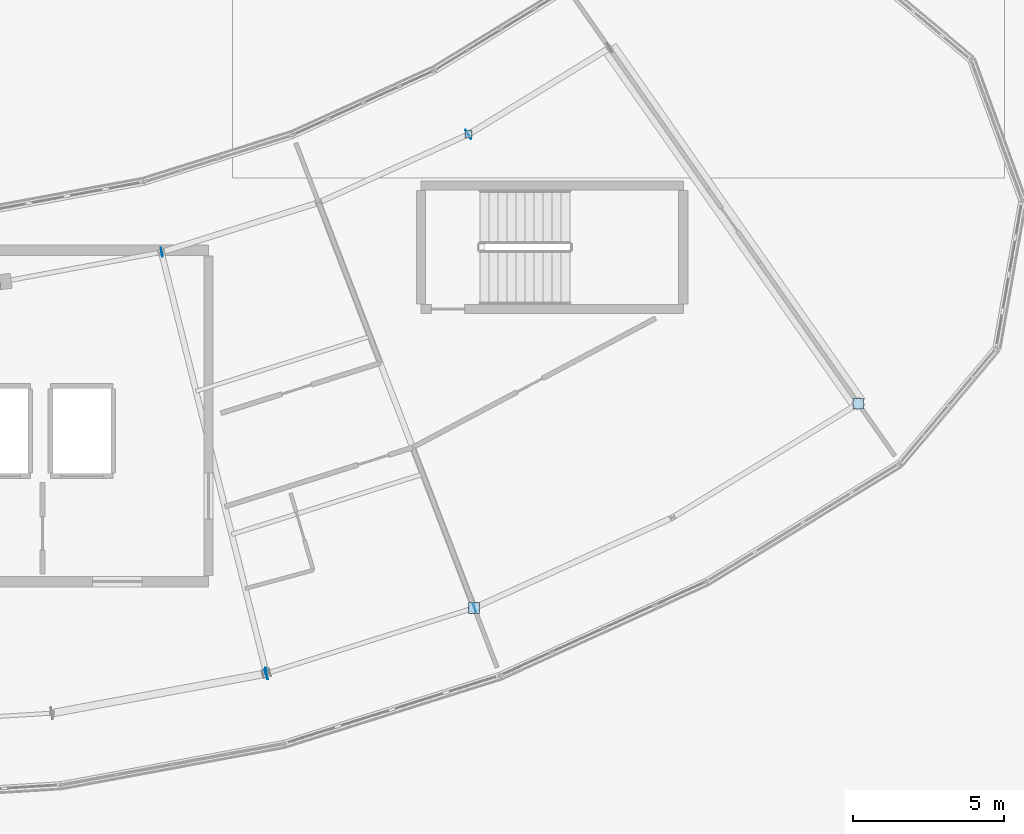
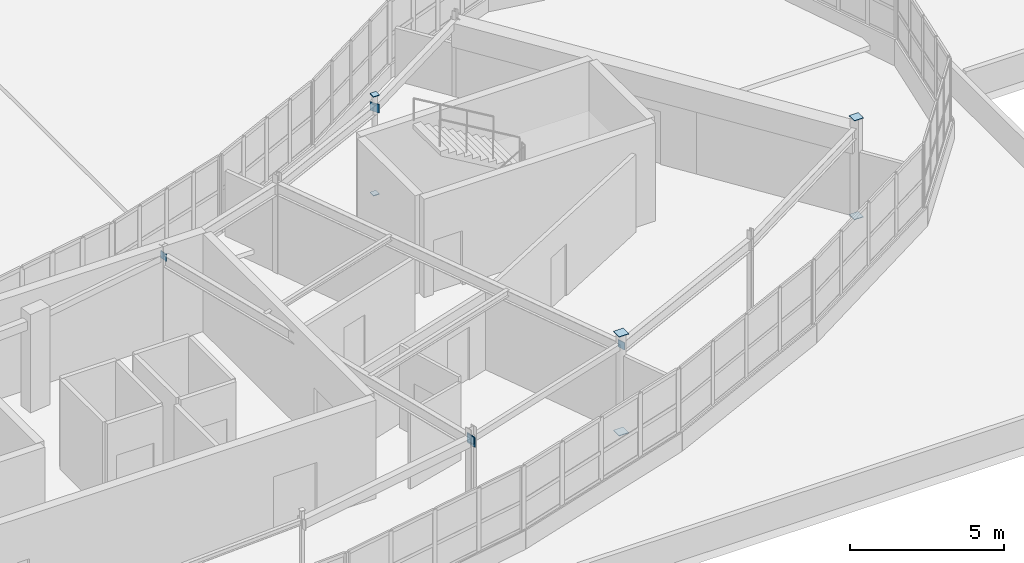
# One storey, part 86 of 128: 11 plates.
"""IFC4 building model written with IfcOpenShell, lengths in metres."""

from ifc_helpers import new_model, si_unit, direction, frame, origin, origin_2d, place, context, subcontext, project, spatial, rectangle, extrude, material, layer, layer_set, type_object, element, save


model = new_model("IFC4")

# Units and contexts
model_context = context("Model", 3, precision=1e-05, world=origin(), true_north=direction((0.0, 1.0)))
body_context = subcontext(model_context, "Body", "Model", "MODEL_VIEW")
ifc_project = project(units=[si_unit("LENGTHUNIT", "METRE"), si_unit("AREAUNIT", "SQUARE_METRE"), si_unit("VOLUMEUNIT", "CUBIC_METRE"), si_unit("PLANEANGLEUNIT", "RADIAN"), si_unit("MASSUNIT", "GRAM", prefix="KILO")], contexts=[model_context])

# Site, building, storey
site_placement = place(None, origin())
site = spatial("IfcSite", under=ifc_project, at=site_placement, CompositionType="ELEMENT")
building_placement = place(site_placement, origin())
building = spatial("IfcBuilding", under=site, at=building_placement, Name="Tarnwether General Hospital", CompositionType="ELEMENT")
storey_placement = place(building_placement, frame((0.0, 0.0, 14.39990234375)))
storey = spatial("IfcBuildingStorey", under=building, at=storey_placement, Name="L03", CompositionType="ELEMENT", Elevation=14.39990234375)

# Plates
ifc_material = material(Name="Steel Grade 350 (350 MPa)", Category="steel")
ifc_layer = layer(ifc_material, 0.02490234375)
ifc_layer_set = layer_set([ifc_layer], Name="Steel Grade 350 (350 MPa)")
plate_type = type_object("IfcPlateType", Name="PT-GUS2", PredefinedType="USERDEFINED", material=ifc_layer_set)
for number, where, z_axis, x_axis, name in (
    (1, (113.215087890625, 7.73193359375, -0.02490234375), (0.0, 0.0, 1.0), (1.0, 0.0, 0.0), "Hollow Section Welded End Cap Plate 0719"),
    (2, (113.215087890625, 7.73193359375, 3.900146484375), (0.0, 0.0, 1.0), (1.0, 0.0, 0.0), "Hollow Section Welded End Cap Plate 0720"),
):
    element("IfcPlate", number, at=place(storey_placement, frame(where, z_axis=z_axis, x_axis=x_axis)), inside=storey, type_object=plate_type, Name=name, ObjectType="GUSSET", PredefinedType="USERDEFINED", context=body_context, shape_type="SweptSolid", body=[
        extrude(rectangle(XDim=0.364013671875, YDim=0.364013671875, at=origin_2d()), origin(), (0.0, 0.0, 1.0), 0.02490234375),
    ])
for number, where, z_axis, x_axis, name in (
    (3, (113.031982421875, 23.444091796875, -0.02490234375), (0.0, 0.0, 1.0), (1.0, 0.0, 0.0), "Hollow Section Welded End Cap Plate 0735"),
    (4, (113.031982421875, 23.444091796875, 3.900146484375), (0.0, 0.0, 1.0), (1.0, 0.0, 0.0), "Hollow Section Welded End Cap Plate 0736"),
):
    element("IfcPlate", number, at=place(storey_placement, frame(where, z_axis=z_axis, x_axis=x_axis)), inside=storey, type_object=plate_type, Name=name, ObjectType="GUSSET", PredefinedType="USERDEFINED", context=body_context, shape_type="SweptSolid", body=[
        extrude(rectangle(XDim=0.23388671875, YDim=0.23388671875, at=origin_2d()), origin(), (0.0, 0.0, 1.0), 0.02490234375),
    ])
for number, where, z_axis, x_axis, name in (
    (5, (125.9560546875, 14.506103515625, -0.02490234375), (0.0, 0.0, 1.0), (1.0, 0.0, 0.0), "Hollow Section Welded End Cap Plate 0743"),
    (6, (125.9560546875, 14.506103515625, 3.900146484375), (0.0, 0.0, 1.0), (1.0, 0.0, 0.0), "Hollow Section Welded End Cap Plate 0744"),
):
    element("IfcPlate", number, at=place(storey_placement, frame(where, z_axis=z_axis, x_axis=x_axis)), inside=storey, type_object=plate_type, Name=name, ObjectType="GUSSET", PredefinedType="USERDEFINED", context=body_context, shape_type="SweptSolid", body=[
        extrude(rectangle(XDim=0.340087890625, YDim=0.340087890625, at=origin_2d()), origin(), (0.0, 0.0, 1.0), 0.02490234375),
    ])
plate_1_placement = place(storey_placement, frame((106.334228515625, 5.560302734375, 3.18994140625), z_axis=(0.0, 0.0, 1.0), x_axis=(0.983261268185, 0.18220120331, 0.0)))
element("IfcPlate", 7, at=plate_1_placement, inside=storey, type_object=plate_type, Name="Hollow Section Welded End Cap Plate 1118", ObjectType="GUSSET", PredefinedType="USERDEFINED", context=body_context, shape_type="SweptSolid", body=[
    extrude(rectangle(XDim=0.02490234375, YDim=0.389892578125, at=origin_2d()), origin(), (0.0, 0.0, 1.0), 0.389892578125),
])
for number, where, z_axis, x_axis, name in (
    (8, (102.850341796875, 19.533203125, 3.2900390625), (0.0, 0.0, 1.0), (0.983245364386, 0.182287008349, 0.0), "Hollow Section Welded End Cap Plate 1120"),
    (9, (106.31005859375, 5.55419921875, 3.2900390625), (0.0, 0.0, 1.0), (0.953690705585, 0.300789025864, 0.0), "Hollow Section Welded End Cap Plate 1121"),
    (10, (113.226806640625, 7.73583984375, 3.2900390625), (0.0, 0.0, 1.0), (0.953690705585, 0.300789025864, 0.0), "Hollow Section Welded End Cap Plate 1122"),
):
    element("IfcPlate", number, at=place(storey_placement, frame(where, z_axis=z_axis, x_axis=x_axis)), inside=storey, type_object=plate_type, Name=name, ObjectType="GUSSET", PredefinedType="USERDEFINED", context=body_context, shape_type="SweptSolid", body=[
        extrude(rectangle(XDim=0.02490234375, YDim=0.2900390625, at=origin_2d()), origin(), (0.0, 0.0, 1.0), 0.2900390625),
    ])
plate_2_placement = place(storey_placement, frame((113.021240234375, 23.4375, 3.240234375), z_axis=(0.0, 0.0, 1.0), x_axis=(0.852649283545, 0.522483683258, 0.0)))
element("IfcPlate", 11, at=plate_2_placement, inside=storey, type_object=plate_type, Name="Hollow Section Welded End Cap Plate 1123", ObjectType="GUSSET", PredefinedType="USERDEFINED", context=body_context, shape_type="SweptSolid", body=[
    extrude(rectangle(XDim=0.02490234375, YDim=0.340087890625, at=origin_2d()), origin(), (0.0, 0.0, 1.0), 0.340087890625),
])

save(model, "model.ifc")
